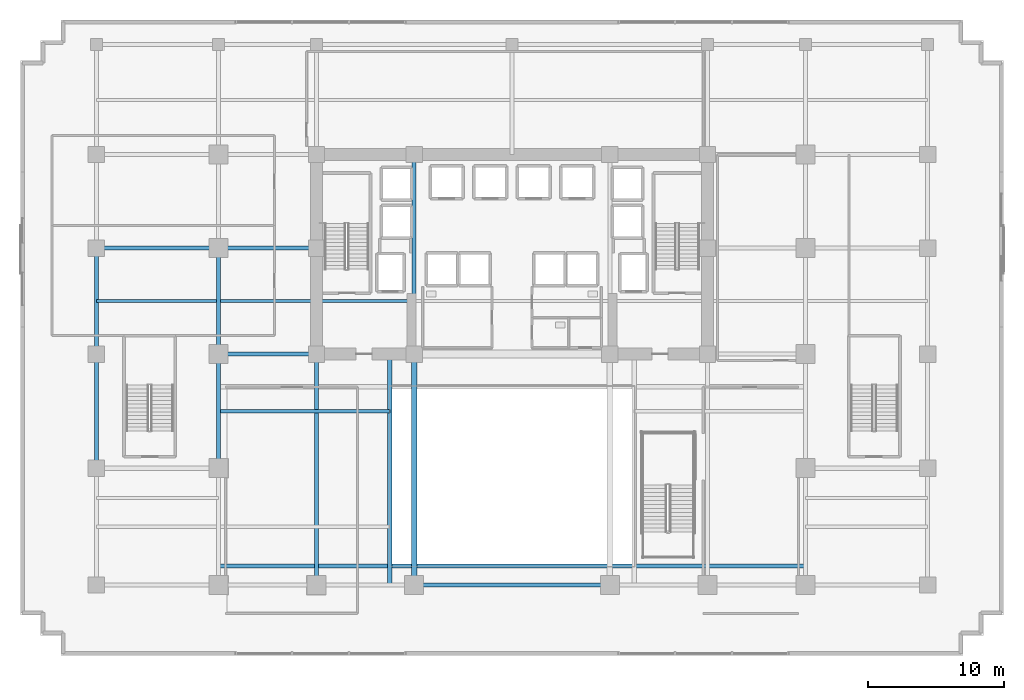
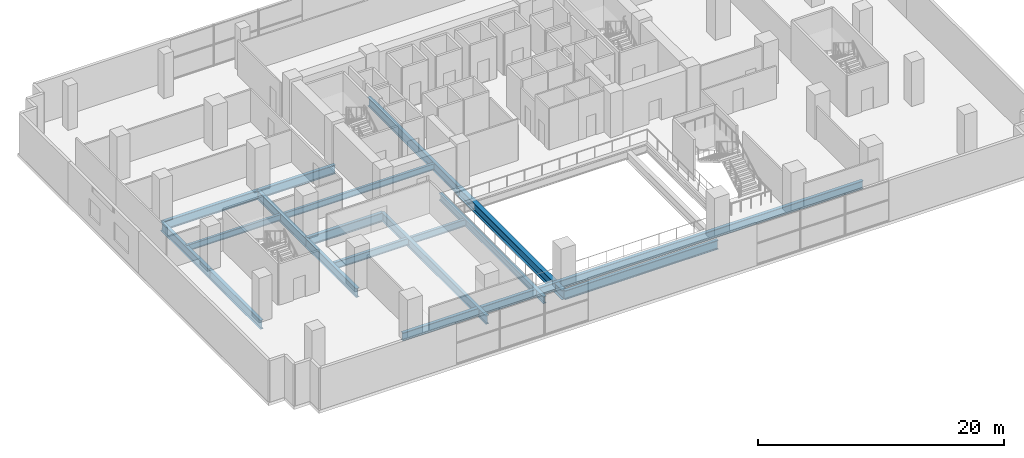
# One storey, part 4 of 21: 16 beams.
"""IFC4 building model written with IfcOpenShell, lengths in metres."""

from ifc_helpers import new_model, si_unit, direction, frame, origin, origin_2d, place, context, subcontext, project, spatial, i_section, extrude, material, material_profile, profile_set, type_object, element, save


model = new_model("IFC4")

# Units and contexts
model_context = context("Model", 3, precision=1e-05, world=origin(), true_north=direction((0.0, 1.0)))
body_context = subcontext(model_context, "Body", "Model", "MODEL_VIEW")
ifc_project = project(units=[si_unit("LENGTHUNIT", "METRE"), si_unit("AREAUNIT", "SQUARE_METRE"), si_unit("VOLUMEUNIT", "CUBIC_METRE"), si_unit("PLANEANGLEUNIT", "RADIAN"), si_unit("MASSUNIT", "GRAM", prefix="KILO")], contexts=[model_context])

# Site, building, storey
site_placement = place(None, origin())
site = spatial("IfcSite", under=ifc_project, at=site_placement, CompositionType="ELEMENT")
building_placement = place(site_placement, origin())
building = spatial("IfcBuilding", under=site, at=building_placement, Name="Zarnakvel Exchange Tower", CompositionType="ELEMENT")
storey_placement = place(building_placement, frame((0.0, 0.0, 18.199951171875)))
storey = spatial("IfcBuildingStorey", under=building, at=storey_placement, Name="L04", CompositionType="ELEMENT", Elevation=18.199951171875)

# Beams
ifc_material = material(Name="Steel S355", Category="steel")
ifc_material_profile_1 = material_profile(ifc_material, i_section(OverallWidth=0.255859375, OverallDepth=0.69287109375, WebThickness=0.014404296875, FlangeThickness=0.023681640625, FilletRadius=0.01513671875, at=origin_2d()))
ifc_profile_set_1 = profile_set([ifc_material_profile_1], Name="Steel S355")
beam_type_1 = type_object("IfcBeamType", Name="B-01", PredefinedType="JOIST", material=ifc_profile_set_1)
beam_1_placement = place(storey_placement, frame((-21.60009765625, -5.39990234375, -0.646484375), z_axis=(1.0, 0.0, 0.0), x_axis=(0.0, 1.0, 0.0)))
element("IfcBeam", 1, at=beam_1_placement, inside=storey, type_object=beam_type_1, Name="L04 Exchange Hall Atrium Trimmer West", PredefinedType="JOIST", context=body_context, shape_type="SweptSolid", body=[
    extrude(i_section(OverallWidth=0.255859375, OverallDepth=0.69287109375, WebThickness=0.014404296875, FlangeThickness=0.023681640625, FilletRadius=0.01513671875, at=origin_2d()), origin(), (0.0, 0.0, 1.0), 12.60009765625),
])
ifc_material_profile_2 = material_profile(ifc_material, i_section(OverallWidth=0.230224609375, OverallDepth=0.6171875, WebThickness=0.01318359375, FlangeThickness=0.022216796875, FilletRadius=0.0126953125, at=origin_2d()))
ifc_profile_set_2 = profile_set([ifc_material_profile_2], Name="Steel S355")
beam_type_2 = type_object("IfcBeamType", Name="B-02", PredefinedType="JOIST", material=ifc_profile_set_2)
beam_2_placement = place(storey_placement, frame((-30.60009765625, 2.699951171875, -0.608642578125), z_axis=(1.0, 0.0, 0.0), x_axis=(0.0, 1.0, 0.0)))
element("IfcBeam", 2, at=beam_2_placement, inside=storey, type_object=beam_type_2, Name="L04 Secondary Floor Joist", PredefinedType="JOIST", context=body_context, shape_type="SweptSolid", body=[
    extrude(i_section(OverallWidth=0.230224609375, OverallDepth=0.6171875, WebThickness=0.01318359375, FlangeThickness=0.022216796875, FilletRadius=0.0126953125, at=origin_2d()), origin(), (0.0, 0.0, 1.0), 8.85009765625),
])
beam_3_placement = place(storey_placement, frame((-21.449951171875, 2.699951171875, -0.608642578125), z_axis=(1.0, 0.0, 0.0), x_axis=(0.0, 1.0, 0.0)))
element("IfcBeam", 3, at=beam_3_placement, inside=storey, type_object=beam_type_2, Name="L04 Secondary Floor Joist", PredefinedType="JOIST", context=body_context, shape_type="SweptSolid", body=[
    extrude(i_section(OverallWidth=0.230224609375, OverallDepth=0.6171875, WebThickness=0.01318359375, FlangeThickness=0.022216796875, FilletRadius=0.0126953125, at=origin_2d()), origin(), (0.0, 0.0, 1.0), 14.099853515625),
])
ifc_material_profile_3 = material_profile(ifc_material, i_section(OverallWidth=0.300048828125, OverallDepth=0.89990234375, WebThickness=0.0185546875, FlangeThickness=0.034912109375, FilletRadius=0.030029296875, at=origin_2d()))
ifc_profile_set_3 = profile_set([ifc_material_profile_3], Name="Steel S355")
beam_type_3 = type_object("IfcBeamType", Name="G-01", PredefinedType="BEAM", material=ifc_profile_set_3)
beam_4_placement = place(storey_placement, frame((-7.199951171875, -18.199951171875, -0.75), z_axis=(1.0, 0.0, 0.0), x_axis=(0.0, 1.0, 0.0)))
element("IfcBeam", 4, at=beam_4_placement, inside=storey, type_object=beam_type_3, Name="L04 Primary E-W Girder Y=-18.2", PredefinedType="BEAM", context=body_context, shape_type="SweptSolid", body=[
    extrude(i_section(OverallWidth=0.300048828125, OverallDepth=0.89990234375, WebThickness=0.0185546875, FlangeThickness=0.034912109375, FilletRadius=0.030029296875, at=origin_2d()), origin(), (0.0, 0.0, 1.0), 14.39990234375),
])
beam_5_placement = place(storey_placement, frame((-21.60009765625, -1.199951171875, -0.75), z_axis=(1.0, 0.0, 0.0), x_axis=(0.0, 1.0, 0.0)))
element("IfcBeam", 5, at=beam_5_placement, inside=storey, type_object=beam_type_3, Name="L04 Primary E-W Girder Y=-1.2", PredefinedType="BEAM", context=body_context, shape_type="SweptSolid", body=[
    extrude(i_section(OverallWidth=0.300048828125, OverallDepth=0.89990234375, WebThickness=0.0185546875, FlangeThickness=0.034912109375, FilletRadius=0.030029296875, at=origin_2d()), origin(), (0.0, 0.0, 1.0), 7.2001953125),
])
beam_6_placement = place(storey_placement, frame((-30.60009765625, 6.60009765625, -0.75), z_axis=(1.0, 0.0, 0.0), x_axis=(0.0, 1.0, 0.0)))
element("IfcBeam", 6, at=beam_6_placement, inside=storey, type_object=beam_type_3, Name="L04 Primary E-W Girder Y=+6.6", PredefinedType="BEAM", context=body_context, shape_type="SweptSolid", body=[
    extrude(i_section(OverallWidth=0.300048828125, OverallDepth=0.89990234375, WebThickness=0.0185546875, FlangeThickness=0.034912109375, FilletRadius=0.030029296875, at=origin_2d()), origin(), (0.0, 0.0, 1.0), 9.0),
])
beam_7_placement = place(storey_placement, frame((-21.60009765625, 6.60009765625, -0.75), z_axis=(1.0, 0.0, 0.0), x_axis=(0.0, 1.0, 0.0)))
element("IfcBeam", 7, at=beam_7_placement, inside=storey, type_object=beam_type_3, Name="L04 Primary E-W Girder Y=+6.6", PredefinedType="BEAM", context=body_context, shape_type="SweptSolid", body=[
    extrude(i_section(OverallWidth=0.300048828125, OverallDepth=0.89990234375, WebThickness=0.0185546875, FlangeThickness=0.034912109375, FilletRadius=0.030029296875, at=origin_2d()), origin(), (0.0, 0.0, 1.0), 7.2001953125),
])
beam_8_placement = place(storey_placement, frame((-30.60009765625, -9.60009765625, -0.75), z_axis=(0.0, 1.0, 0.0), x_axis=(-1.0, 0.0, 0.0)))
element("IfcBeam", 8, at=beam_8_placement, inside=storey, type_object=beam_type_3, Name="L04 Primary N-S Girder X=-30.6", PredefinedType="BEAM", context=body_context, shape_type="SweptSolid", body=[
    extrude(i_section(OverallWidth=0.300048828125, OverallDepth=0.89990234375, WebThickness=0.0185546875, FlangeThickness=0.034912109375, FilletRadius=0.030029296875, at=origin_2d()), origin(), (0.0, 0.0, 1.0), 8.400146484375),
])
beam_9_placement = place(storey_placement, frame((-30.60009765625, -1.199951171875, -0.75), z_axis=(0.0, 1.0, 0.0), x_axis=(-1.0, 0.0, 0.0)))
element("IfcBeam", 9, at=beam_9_placement, inside=storey, type_object=beam_type_3, Name="L04 Primary N-S Girder X=-30.6", PredefinedType="BEAM", context=body_context, shape_type="SweptSolid", body=[
    extrude(i_section(OverallWidth=0.300048828125, OverallDepth=0.89990234375, WebThickness=0.0185546875, FlangeThickness=0.034912109375, FilletRadius=0.030029296875, at=origin_2d()), origin(), (0.0, 0.0, 1.0), 7.800048828125),
])
beam_10_placement = place(storey_placement, frame((-21.60009765625, -9.60009765625, -0.75), z_axis=(0.0, 1.0, 0.0), x_axis=(-1.0, 0.0, 0.0)))
element("IfcBeam", 10, at=beam_10_placement, inside=storey, type_object=beam_type_3, Name="L04 Primary N-S Girder X=-21.6", PredefinedType="BEAM", context=body_context, shape_type="SweptSolid", body=[
    extrude(i_section(OverallWidth=0.300048828125, OverallDepth=0.89990234375, WebThickness=0.0185546875, FlangeThickness=0.034912109375, FilletRadius=0.030029296875, at=origin_2d()), origin(), (0.0, 0.0, 1.0), 8.400146484375),
])
beam_11_placement = place(storey_placement, frame((-21.60009765625, -1.199951171875, -0.75), z_axis=(0.0, 1.0, 0.0), x_axis=(-1.0, 0.0, 0.0)))
element("IfcBeam", 11, at=beam_11_placement, inside=storey, type_object=beam_type_3, Name="L04 Primary N-S Girder X=-21.6", PredefinedType="BEAM", context=body_context, shape_type="SweptSolid", body=[
    extrude(i_section(OverallWidth=0.300048828125, OverallDepth=0.89990234375, WebThickness=0.0185546875, FlangeThickness=0.034912109375, FilletRadius=0.030029296875, at=origin_2d()), origin(), (0.0, 0.0, 1.0), 7.800048828125),
])
beam_12_placement = place(storey_placement, frame((-7.199951171875, -1.199951171875, -0.75), z_axis=(0.0, 1.0, 0.0), x_axis=(-1.0, 0.0, 0.0)))
element("IfcBeam", 12, at=beam_12_placement, inside=storey, type_object=beam_type_3, Name="L04 Primary N-S Girder X=-7.2", PredefinedType="BEAM", context=body_context, shape_type="SweptSolid", body=[
    extrude(i_section(OverallWidth=0.300048828125, OverallDepth=0.89990234375, WebThickness=0.0185546875, FlangeThickness=0.034912109375, FilletRadius=0.030029296875, at=origin_2d()), origin(), (0.0, 0.0, 1.0), 14.699951171875),
])
ifc_material_profile_4 = material_profile(ifc_material, i_section(OverallWidth=0.300048828125, OverallDepth=0.800048828125, WebThickness=0.017578125, FlangeThickness=0.032958984375, FilletRadius=0.030029296875, at=origin_2d()))
ifc_profile_set_4 = profile_set([ifc_material_profile_4], Name="Steel S355")
beam_type_4 = type_object("IfcBeamType", Name="G-02", PredefinedType="BEAM", material=ifc_profile_set_4)
beam_13_placement = place(storey_placement, frame((-21.60009765625, -16.800048828125, -0.699951171875), z_axis=(1.0, 0.0, 0.0), x_axis=(0.0, 1.0, 0.0)))
element("IfcBeam", 13, at=beam_13_placement, inside=storey, type_object=beam_type_4, Name="L04 Atrium South Edge Trimmer Girder", PredefinedType="BEAM", context=body_context, shape_type="SweptSolid", body=[
    extrude(i_section(OverallWidth=0.300048828125, OverallDepth=0.800048828125, WebThickness=0.017578125, FlangeThickness=0.032958984375, FilletRadius=0.030029296875, at=origin_2d()), origin(), (0.0, 0.0, 1.0), 43.2001953125),
])
ifc_material_profile_5 = material_profile(ifc_material, i_section(OverallWidth=0.300048828125, OverallDepth=0.699951171875, WebThickness=0.01708984375, FlangeThickness=0.031982421875, FilletRadius=0.027099609375, at=origin_2d()))
ifc_profile_set_5 = profile_set([ifc_material_profile_5], Name="Steel S355")
beam_type_5 = type_object("IfcBeamType", Name="G-03", PredefinedType="BEAM", material=ifc_profile_set_5)
beam_14_placement = place(storey_placement, frame((-9.0, -18.199951171875, -0.64990234375), z_axis=(0.0, 1.0, 0.0), x_axis=(-1.0, 0.0, 0.0)))
element("IfcBeam", 14, at=beam_14_placement, inside=storey, type_object=beam_type_5, Name="L04 Atrium West Edge Girder", PredefinedType="BEAM", context=body_context, shape_type="SweptSolid", body=[
    extrude(i_section(OverallWidth=0.300048828125, OverallDepth=0.699951171875, WebThickness=0.01708984375, FlangeThickness=0.031982421875, FilletRadius=0.027099609375, at=origin_2d()), origin(), (0.0, 0.0, 1.0), 17.0),
])
ifc_material_profile_6 = material_profile(ifc_material, i_section(OverallWidth=0.42041015625, OverallDepth=0.9208984375, WebThickness=0.021484375, FlangeThickness=0.03662109375, FilletRadius=0.024169921875, at=origin_2d()))
ifc_profile_set_6 = profile_set([ifc_material_profile_6], Name="Steel S355")
beam_type_6 = type_object("IfcBeamType", Name="TB-01", PredefinedType="T_BEAM", material=ifc_profile_set_6)
beam_15_placement = place(storey_placement, frame((-7.199951171875, -18.199951171875, -0.760498046875), z_axis=(0.0, 1.0, 0.0), x_axis=(-1.0, 0.0, 0.0)))
element("IfcBeam", 15, at=beam_15_placement, inside=storey, type_object=beam_type_6, Name="L04 Primary N-S Girder X=-7.2", PredefinedType="T_BEAM", context=body_context, shape_type="SweptSolid", body=[
    extrude(i_section(OverallWidth=0.42041015625, OverallDepth=0.9208984375, WebThickness=0.021484375, FlangeThickness=0.03662109375, FilletRadius=0.024169921875, at=origin_2d()), origin(), (0.0, 0.0, 1.0), 17.0),
])
ifc_material_profile_7 = material_profile(ifc_material, i_section(OverallWidth=0.293701171875, OverallDepth=0.850830078125, WebThickness=0.01611328125, FlangeThickness=0.02685546875, FilletRadius=0.017822265625, at=origin_2d()))
ifc_profile_set_7 = profile_set([ifc_material_profile_7], Name="Steel S355")
beam_type_7 = type_object("IfcBeamType", Name="TB-02", PredefinedType="T_BEAM", material=ifc_profile_set_7)
beam_16_placement = place(storey_placement, frame((-14.39990234375, -18.199951171875, -0.725341796875), z_axis=(0.0, 1.0, 0.0), x_axis=(-1.0, 0.0, 0.0)))
element("IfcBeam", 16, at=beam_16_placement, inside=storey, type_object=beam_type_7, Name="L04 Primary N-S Girder X=-14.4", PredefinedType="T_BEAM", context=body_context, shape_type="SweptSolid", body=[
    extrude(i_section(OverallWidth=0.293701171875, OverallDepth=0.850830078125, WebThickness=0.01611328125, FlangeThickness=0.02685546875, FilletRadius=0.017822265625, at=origin_2d()), origin(), (0.0, 0.0, 1.0), 17.0),
])

save(model, "model.ifc")
